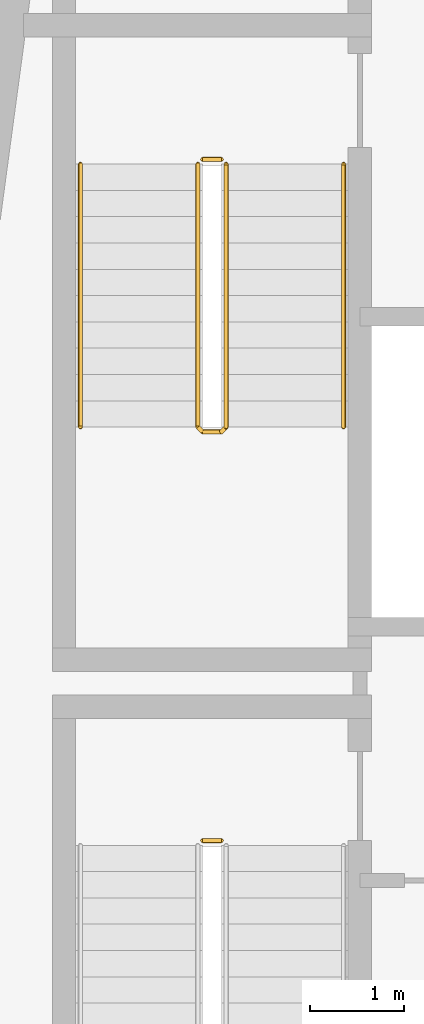
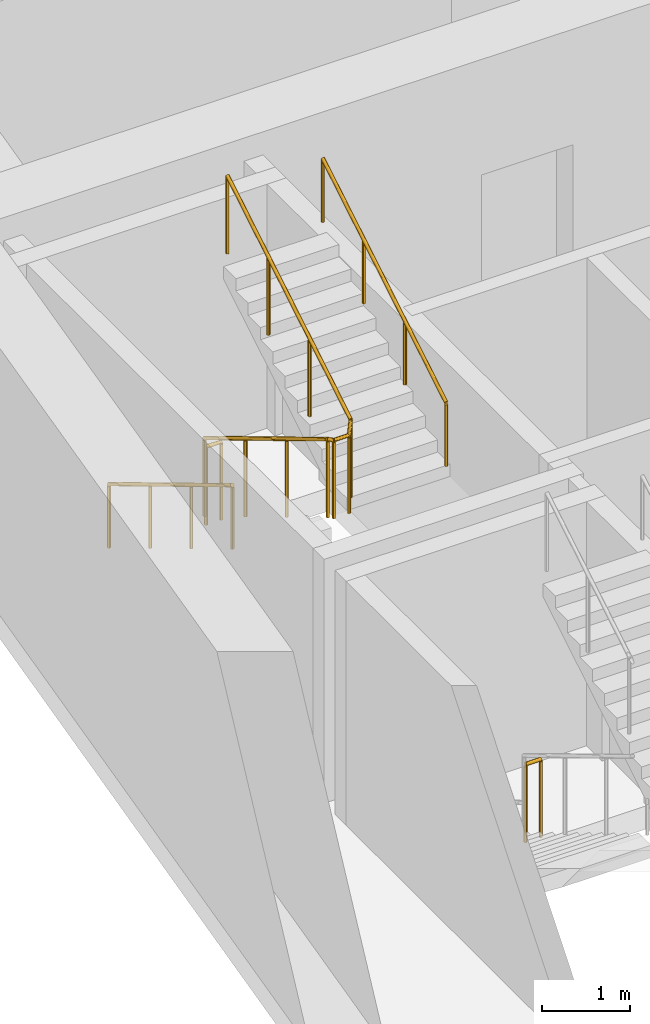
# One storey, part 9 of 12: 5 railings.
"""IFC4 building model written with IfcOpenShell, lengths in metres."""

from ifc_helpers import new_model, si_unit, direction, frame, origin, origin_2d, place, context, subcontext, project, spatial, circle, extrude, material, type_object, element, save


model = new_model("IFC4")

# Units and contexts
model_context = context("Model", 3, precision=1e-05, world=origin(), true_north=direction((0.0, 1.0)))
body_context = subcontext(model_context, "Body", "Model", "MODEL_VIEW")
ifc_project = project(units=[si_unit("LENGTHUNIT", "METRE"), si_unit("AREAUNIT", "SQUARE_METRE"), si_unit("VOLUMEUNIT", "CUBIC_METRE"), si_unit("PLANEANGLEUNIT", "RADIAN"), si_unit("MASSUNIT", "GRAM", prefix="KILO")], contexts=[model_context])

# Site, building, storey
site_placement = place(None, origin())
site = spatial("IfcSite", under=ifc_project, at=site_placement, CompositionType="ELEMENT")
building_placement = place(site_placement, origin())
building = spatial("IfcBuilding", under=site, at=building_placement, Name="Candeia Pilgrim Tower and Theatre", CompositionType="ELEMENT")
storey_placement = place(building_placement, frame((0.0, 0.0, 228.10009765625)))
storey = spatial("IfcBuildingStorey", under=building, at=storey_placement, Name="L55", CompositionType="ELEMENT", Elevation=228.10009765625)

# Railings
ifc_material_1 = material(Name="Stainless steel balustrade", Category="steel")
railing_type_1 = type_object("IfcRailingType", Name="RL-GUARD-1100", PredefinedType="GUARDRAIL", material=ifc_material_1)
railing_1_placement = place(storey_placement, frame((91.152099609375, 122.52490234375, 0.0)))
element("IfcRailing", 1, at=railing_1_placement, inside=storey, type_object=railing_type_1, Name="L55 ST1 stair guard 2", PredefinedType="GUARDRAIL", context=body_context, shape_type="SweptSolid", body=[
    extrude(circle(Radius=0.02392578125, at=origin_2d()), frame((0.0, 0.0, 1.076171875), z_axis=(1.0, 0.0, 0.0), x_axis=(0.0, 1.0, 0.0)), (0.0, 0.0, 1.0), 0.199951171875),
    extrude(circle(Radius=0.02099609375, at=origin_2d()), origin(), (0.0, 0.0, 1.0), 1.052001953125),
    extrude(circle(Radius=0.02099609375, at=origin_2d()), frame((0.199951171875, 0.0, 0.0)), (0.0, 0.0, 1.0), 1.052001953125),
])
railing_2_placement = place(storey_placement, frame((91.10205078125, 129.72509765625, 0.16796875)))
element("IfcRailing", 2, at=railing_2_placement, inside=storey, type_object=railing_type_1, Name="L55 ST2 stair guard 1", PredefinedType="GUARDRAIL", context=body_context, shape_type="SweptSolid", body=[
    extrude(circle(Radius=0.02392578125, at=origin_2d()), frame((0.0, 0.0, 1.076171875), z_axis=(0.0, -0.857242210791, 0.514913383045), x_axis=(1.0, 0.0, 0.0)), (0.0, 0.0, 1.0), 3.266357421875),
    extrude(circle(Radius=0.02392578125, at=origin_2d()), frame((0.0, -2.800048828125, 2.7578125), z_axis=(0.707106781187, -0.707106781187, 0.0), x_axis=(0.707106781187, 0.707106781187, 0.0)), (0.0, 0.0, 1.0), 0.07080078125),
    extrude(circle(Radius=0.02392578125, at=origin_2d()), frame((0.050048828125, -2.85009765625, 2.7578125), z_axis=(1.0, 0.0, 0.0), x_axis=(0.0, 1.0, 0.0)), (0.0, 0.0, 1.0), 0.199951171875),
    extrude(circle(Radius=0.02392578125, at=origin_2d()), frame((0.25, -2.85009765625, 2.7578125), z_axis=(0.274243871929, 0.274243871929, 0.92172696468), x_axis=(-0.707106781187, 0.707106781187, 0.0)), (0.0, 0.0, 1.0), 0.1826171875),
    extrude(circle(Radius=0.02392578125, at=origin_2d()), frame((0.300048828125, -2.800048828125, 2.92626953125), z_axis=(0.0, 0.857242210791, 0.514913383045), x_axis=(-1.0, 0.0, 0.0)), (0.0, 0.0, 1.0), 3.266357421875),
    extrude(circle(Radius=0.02099609375, at=origin_2d()), origin(), (0.0, 0.0, 1.0), 1.052001953125),
    extrude(circle(Radius=0.02099609375, at=origin_2d()), frame((0.0, -0.933349609375, 0.560546875)), (0.0, 0.0, 1.0), 1.052001953125),
    extrude(circle(Radius=0.02099609375, at=origin_2d()), frame((0.0, -1.86669921875, 1.121337890625)), (0.0, 0.0, 1.0), 1.052001953125),
    extrude(circle(Radius=0.02099609375, at=origin_2d()), frame((0.0, -2.800048828125, 1.681884765625)), (0.0, 0.0, 1.0), 1.052001953125),
    extrude(circle(Radius=0.02099609375, at=origin_2d()), frame((0.050048828125, -2.85009765625, 1.681884765625)), (0.0, 0.0, 1.0), 1.052001953125),
    extrude(circle(Radius=0.02099609375, at=origin_2d()), frame((0.25, -2.85009765625, 1.681884765625)), (0.0, 0.0, 1.0), 1.052001953125),
    extrude(circle(Radius=0.02099609375, at=origin_2d()), frame((0.300048828125, -2.800048828125, 1.85009765625)), (0.0, 0.0, 1.0), 1.052001953125),
    extrude(circle(Radius=0.02099609375, at=origin_2d()), frame((0.300048828125, -1.86669921875, 2.41064453125)), (0.0, 0.0, 1.0), 1.052001953125),
    extrude(circle(Radius=0.02099609375, at=origin_2d()), frame((0.300048828125, -0.933349609375, 2.971435546875)), (0.0, 0.0, 1.0), 1.052001953125),
    extrude(circle(Radius=0.02099609375, at=origin_2d()), frame((0.300048828125, 0.0, 3.531982421875)), (0.0, 0.0, 1.0), 1.052001953125),
])
railing_3_placement = place(storey_placement, frame((91.152099609375, 129.77490234375, 0.0)))
element("IfcRailing", 3, at=railing_3_placement, inside=storey, type_object=railing_type_1, Name="L55 ST2 stair guard 2", PredefinedType="GUARDRAIL", context=body_context, shape_type="SweptSolid", body=[
    extrude(circle(Radius=0.02392578125, at=origin_2d()), frame((0.0, 0.0, 1.076171875), z_axis=(1.0, 0.0, 0.0), x_axis=(0.0, 1.0, 0.0)), (0.0, 0.0, 1.0), 0.199951171875),
    extrude(circle(Radius=0.02099609375, at=origin_2d()), origin(), (0.0, 0.0, 1.0), 1.052001953125),
    extrude(circle(Radius=0.02099609375, at=origin_2d()), frame((0.199951171875, 0.0, 0.0)), (0.0, 0.0, 1.0), 1.052001953125),
])
ifc_material_2 = material(Name="Stainless steel handrail", Category="steel")
railing_type_2 = type_object("IfcRailingType", Name="RL-HANDRAIL-900", PredefinedType="HANDRAIL", material=ifc_material_2)
railing_4_placement = place(storey_placement, frame((89.85205078125, 129.72509765625, 0.16796875)))
element("IfcRailing", 4, at=railing_4_placement, inside=storey, type_object=railing_type_2, Name="L55 ST2 stair handrail 1", PredefinedType="HANDRAIL", context=body_context, shape_type="SweptSolid", body=[
    extrude(circle(Radius=0.02392578125, at=origin_2d()), frame((0.0, 0.0, 0.8759765625), z_axis=(0.0, -0.857242210791, 0.514913383045), x_axis=(1.0, 0.0, 0.0)), (0.0, 0.0, 1.0), 3.266357421875),
    extrude(circle(Radius=0.02099609375, at=origin_2d()), origin(), (0.0, 0.0, 1.0), 0.851806640625),
    extrude(circle(Radius=0.02099609375, at=origin_2d()), frame((0.0, -0.933349609375, 0.560546875)), (0.0, 0.0, 1.0), 0.851806640625),
    extrude(circle(Radius=0.02099609375, at=origin_2d()), frame((0.0, -1.86669921875, 1.121337890625)), (0.0, 0.0, 1.0), 0.851806640625),
    extrude(circle(Radius=0.02099609375, at=origin_2d()), frame((0.0, -2.800048828125, 1.681884765625)), (0.0, 0.0, 1.0), 0.851806640625),
])
railing_5_placement = place(storey_placement, frame((92.652099609375, 126.925048828125, 2.01806640625)))
element("IfcRailing", 5, at=railing_5_placement, inside=storey, type_object=railing_type_2, Name="L55 ST2 stair handrail 2", PredefinedType="HANDRAIL", context=body_context, shape_type="SweptSolid", body=[
    extrude(circle(Radius=0.02392578125, at=origin_2d()), frame((0.0, 0.0, 0.8759765625), z_axis=(0.0, 0.857242210791, 0.514913383045), x_axis=(-1.0, 0.0, 0.0)), (0.0, 0.0, 1.0), 3.266357421875),
    extrude(circle(Radius=0.02099609375, at=origin_2d()), origin(), (0.0, 0.0, 1.0), 0.851806640625),
    extrude(circle(Radius=0.02099609375, at=origin_2d()), frame((0.0, 0.933349609375, 0.560546875)), (0.0, 0.0, 1.0), 0.851806640625),
    extrude(circle(Radius=0.02099609375, at=origin_2d()), frame((0.0, 1.86669921875, 1.121337890625)), (0.0, 0.0, 1.0), 0.851806640625),
    extrude(circle(Radius=0.02099609375, at=origin_2d()), frame((0.0, 2.800048828125, 1.681884765625)), (0.0, 0.0, 1.0), 0.851806640625),
])

save(model, "model.ifc")
